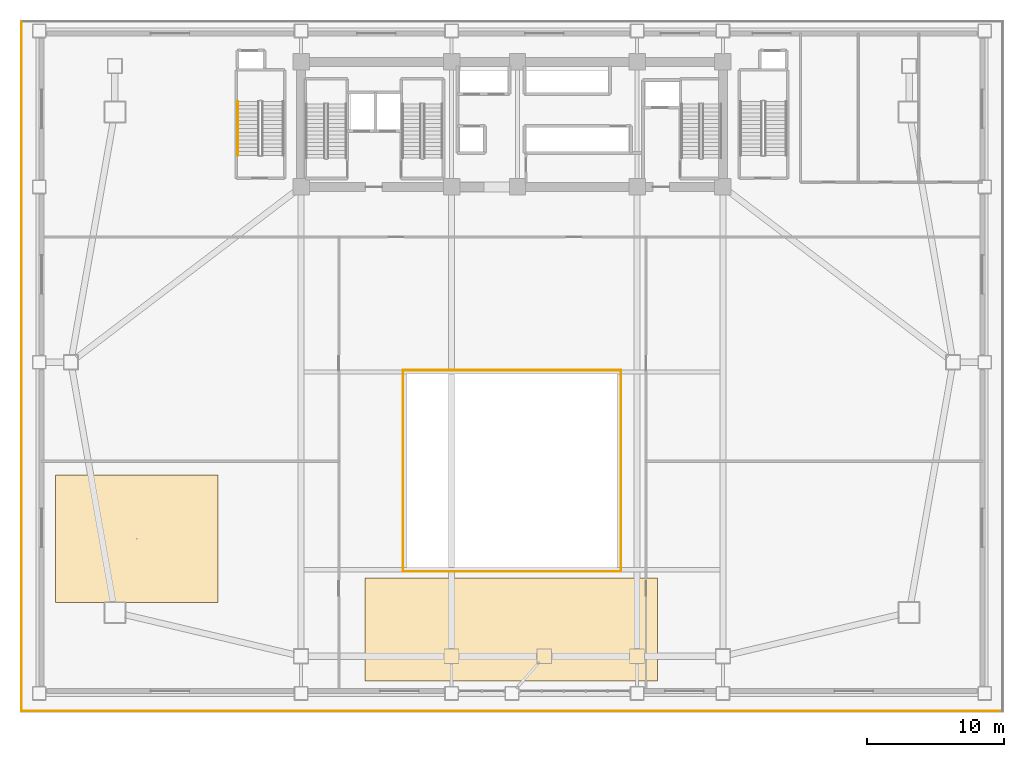
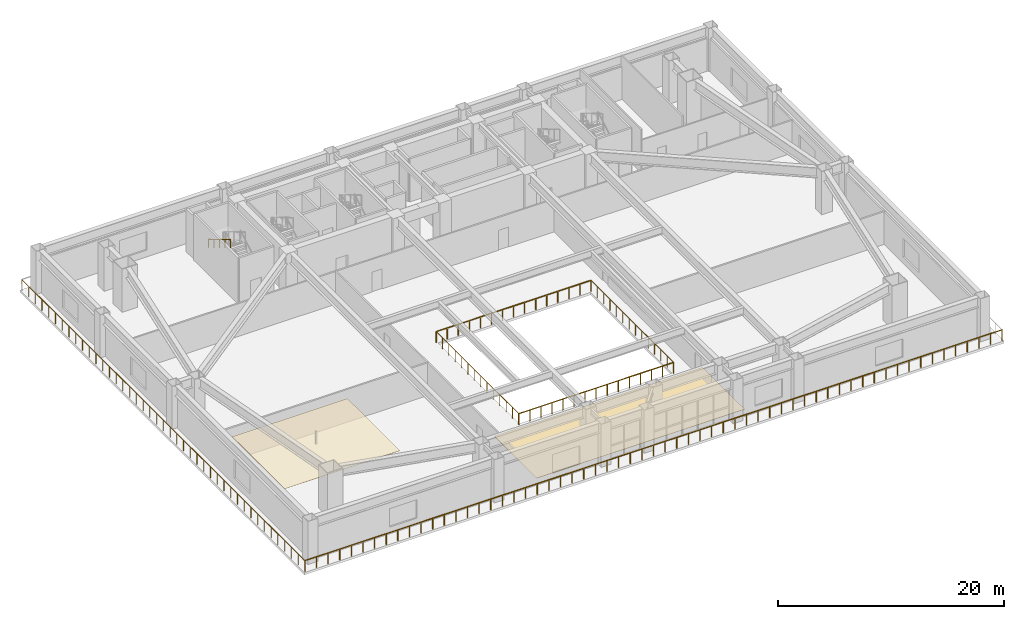
# One storey, part 11 of 14: 7 railings, 2 coverings.
"""IFC4 building model written with IfcOpenShell, lengths in metres."""

from ifc_helpers import new_model, si_unit, direction, frame, origin, origin_2d, place, context, subcontext, project, spatial, polyline, rectangle, outline, extrude, material, layer, layer_set, type_object, element, save


model = new_model("IFC4")

# Units and contexts
model_context = context("Model", 3, precision=1e-05, world=origin(), true_north=direction((0.0, 1.0)))
body_context = subcontext(model_context, "Body", "Model", "MODEL_VIEW")
ifc_project = project(units=[si_unit("LENGTHUNIT", "METRE"), si_unit("AREAUNIT", "SQUARE_METRE"), si_unit("VOLUMEUNIT", "CUBIC_METRE"), si_unit("PLANEANGLEUNIT", "RADIAN"), si_unit("MASSUNIT", "GRAM", prefix="KILO")], contexts=[model_context])

# Site, building, storey
site_placement = place(None, origin())
site = spatial("IfcSite", under=ifc_project, at=site_placement, CompositionType="ELEMENT")
building_placement = place(site_placement, origin())
building = spatial("IfcBuilding", under=site, at=building_placement, Name="Giltprow Tower", CompositionType="ELEMENT")
storey_placement = place(building_placement, frame((0.0, 0.0, 15.199951171875)))
storey = spatial("IfcBuildingStorey", under=building, at=storey_placement, Name="L04", CompositionType="ELEMENT", Elevation=15.199951171875)

# Coverings
ifc_material_1 = material(Name="Acoustic mineral fibre", Category="gypsum")
ifc_layer_1 = layer(ifc_material_1, 0.030029296875, Name="Acoustic mineral fibre")
ifc_layer_set_1 = layer_set([ifc_layer_1], Name="Acoustic mineral fibre")
covering_type_1 = type_object("IfcCoveringType", Name="COV-CLG-ACOUSTIC", PredefinedType="CEILING", material=ifc_layer_set_1)
covering_1_placement = place(storey_placement, frame((0.0, 0.0, 3.27001953125)))
element("IfcCovering", 1, at=covering_1_placement, inside=storey, type_object=covering_type_1, Name="L04 Acoustic Suspended Ceiling", PredefinedType="CEILING", context=body_context, shape_type="SweptSolid", body=[
    extrude(outline(polyline([(2.0, 7.199951171875), (13.800048828125, 7.199951171875), (13.800048828125, 16.5), (2.0, 16.5), (2.0, 7.199951171875)])), origin(), (0.0, 0.0, 1.0), 0.030029296875),
])
ifc_material_2 = material(Name="Honed granite", Category="masonry")
ifc_layer_2 = layer(ifc_material_2, 0.030029296875, Name="Honed granite")
ifc_layer_set_2 = layer_set([ifc_layer_2], Name="Honed granite")
covering_type_2 = type_object("IfcCoveringType", Name="COV-FLR-STONE", PredefinedType="FLOORING", material=ifc_layer_set_2)
covering_2_placement = place(storey_placement, origin())
element("IfcCovering", 2, at=covering_2_placement, inside=storey, type_object=covering_type_2, Name="L04 Honed Granite Concourse Flooring", PredefinedType="FLOORING", context=body_context, shape_type="SweptSolid", body=[
    extrude(outline(polyline([(24.5, 1.5), (45.800048828125, 1.5), (45.800048828125, 9.0), (24.5, 9.0), (24.5, 1.5)])), origin(), (0.0, 0.0, 1.0), 0.030029296875),
])

# Railings
ifc_material_3 = material(Name="Anodized bronze", Category="metal")
railing_type_1 = type_object("IfcRailingType", Name="RAIL-ATR-BAL-1220", PredefinedType="BALUSTRADE", material=ifc_material_3)
railing_1_placement = place(storey_placement, frame((27.280029296875, 9.47998046875, 0.0)))
element("IfcRailing", 3, at=railing_1_placement, inside=storey, type_object=railing_type_1, Name="L04 Podium Atrium Balustrade Seg 1", PredefinedType="BALUSTRADE", context=body_context, shape_type="SweptSolid", body=[
    extrude(rectangle(XDim=0.048095703125, YDim=0.048095703125, at=origin_2d()), frame((0.0, 0.0, 1.19580078125), z_axis=(1.0, 0.0, 0.0), x_axis=(0.0, 1.0, 0.0)), (0.0, 0.0, 1.0), 15.840087890625),
    extrude(rectangle(XDim=0.0419921875, YDim=0.0419921875, at=origin_2d()), origin(), (0.0, 0.0, 1.0), 1.171875),
    extrude(rectangle(XDim=0.0419921875, YDim=0.0419921875, at=origin_2d()), frame((1.13134765625, 0.0, 0.0)), (0.0, 0.0, 1.0), 1.171875),
    extrude(rectangle(XDim=0.0419921875, YDim=0.0419921875, at=origin_2d()), frame((2.262939453125, 0.0, 0.0)), (0.0, 0.0, 1.0), 1.171875),
    extrude(rectangle(XDim=0.0419921875, YDim=0.0419921875, at=origin_2d()), frame((3.394287109375, 0.0, 0.0)), (0.0, 0.0, 1.0), 1.171875),
    extrude(rectangle(XDim=0.0419921875, YDim=0.0419921875, at=origin_2d()), frame((4.525634765625, 0.0, 0.0)), (0.0, 0.0, 1.0), 1.171875),
    extrude(rectangle(XDim=0.0419921875, YDim=0.0419921875, at=origin_2d()), frame((5.6572265625, 0.0, 0.0)), (0.0, 0.0, 1.0), 1.171875),
    extrude(rectangle(XDim=0.0419921875, YDim=0.0419921875, at=origin_2d()), frame((6.78857421875, 0.0, 0.0)), (0.0, 0.0, 1.0), 1.171875),
    extrude(rectangle(XDim=0.0419921875, YDim=0.0419921875, at=origin_2d()), frame((7.919921875, 0.0, 0.0)), (0.0, 0.0, 1.0), 1.171875),
    extrude(rectangle(XDim=0.0419921875, YDim=0.0419921875, at=origin_2d()), frame((9.051513671875, 0.0, 0.0)), (0.0, 0.0, 1.0), 1.171875),
    extrude(rectangle(XDim=0.0419921875, YDim=0.0419921875, at=origin_2d()), frame((10.182861328125, 0.0, 0.0)), (0.0, 0.0, 1.0), 1.171875),
    extrude(rectangle(XDim=0.0419921875, YDim=0.0419921875, at=origin_2d()), frame((11.314453125, 0.0, 0.0)), (0.0, 0.0, 1.0), 1.171875),
    extrude(rectangle(XDim=0.0419921875, YDim=0.0419921875, at=origin_2d()), frame((12.44580078125, 0.0, 0.0)), (0.0, 0.0, 1.0), 1.171875),
    extrude(rectangle(XDim=0.0419921875, YDim=0.0419921875, at=origin_2d()), frame((13.5771484375, 0.0, 0.0)), (0.0, 0.0, 1.0), 1.171875),
    extrude(rectangle(XDim=0.0419921875, YDim=0.0419921875, at=origin_2d()), frame((14.708740234375, 0.0, 0.0)), (0.0, 0.0, 1.0), 1.171875),
    extrude(rectangle(XDim=0.0419921875, YDim=0.0419921875, at=origin_2d()), frame((15.840087890625, 0.0, 0.0)), (0.0, 0.0, 1.0), 1.171875),
])
railing_2_placement = place(storey_placement, frame((43.1201171875, 9.47998046875, 0.0)))
element("IfcRailing", 4, at=railing_2_placement, inside=storey, type_object=railing_type_1, Name="L04 Podium Atrium Balustrade Seg 2", PredefinedType="BALUSTRADE", context=body_context, shape_type="SweptSolid", body=[
    extrude(rectangle(XDim=0.048095703125, YDim=0.048095703125, at=origin_2d()), frame((0.0, 0.0, 1.19580078125), z_axis=(0.0, 1.0, 0.0), x_axis=(-1.0, 0.0, 0.0)), (0.0, 0.0, 1.0), 14.64013671875),
    extrude(rectangle(XDim=0.0419921875, YDim=0.0419921875, at=origin_2d()), origin(), (0.0, 0.0, 1.0), 1.171875),
    extrude(rectangle(XDim=0.0419921875, YDim=0.0419921875, at=origin_2d()), frame((0.0, 1.126220703125, 0.0)), (0.0, 0.0, 1.0), 1.171875),
    extrude(rectangle(XDim=0.0419921875, YDim=0.0419921875, at=origin_2d()), frame((0.0, 2.25244140625, 0.0)), (0.0, 0.0, 1.0), 1.171875),
    extrude(rectangle(XDim=0.0419921875, YDim=0.0419921875, at=origin_2d()), frame((0.0, 3.37841796875, 0.0)), (0.0, 0.0, 1.0), 1.171875),
    extrude(rectangle(XDim=0.0419921875, YDim=0.0419921875, at=origin_2d()), frame((0.0, 4.504638671875, 0.0)), (0.0, 0.0, 1.0), 1.171875),
    extrude(rectangle(XDim=0.0419921875, YDim=0.0419921875, at=origin_2d()), frame((0.0, 5.630859375, 0.0)), (0.0, 0.0, 1.0), 1.171875),
    extrude(rectangle(XDim=0.0419921875, YDim=0.0419921875, at=origin_2d()), frame((0.0, 6.757080078125, 0.0)), (0.0, 0.0, 1.0), 1.171875),
    extrude(rectangle(XDim=0.0419921875, YDim=0.0419921875, at=origin_2d()), frame((0.0, 7.883056640625, 0.0)), (0.0, 0.0, 1.0), 1.171875),
    extrude(rectangle(XDim=0.0419921875, YDim=0.0419921875, at=origin_2d()), frame((0.0, 9.00927734375, 0.0)), (0.0, 0.0, 1.0), 1.171875),
    extrude(rectangle(XDim=0.0419921875, YDim=0.0419921875, at=origin_2d()), frame((0.0, 10.135498046875, 0.0)), (0.0, 0.0, 1.0), 1.171875),
    extrude(rectangle(XDim=0.0419921875, YDim=0.0419921875, at=origin_2d()), frame((0.0, 11.26171875, 0.0)), (0.0, 0.0, 1.0), 1.171875),
    extrude(rectangle(XDim=0.0419921875, YDim=0.0419921875, at=origin_2d()), frame((0.0, 12.3876953125, 0.0)), (0.0, 0.0, 1.0), 1.171875),
    extrude(rectangle(XDim=0.0419921875, YDim=0.0419921875, at=origin_2d()), frame((0.0, 13.513916015625, 0.0)), (0.0, 0.0, 1.0), 1.171875),
    extrude(rectangle(XDim=0.0419921875, YDim=0.0419921875, at=origin_2d()), frame((0.0, 14.64013671875, 0.0)), (0.0, 0.0, 1.0), 1.171875),
])
railing_3_placement = place(storey_placement, frame((43.1201171875, 24.1201171875, 0.0)))
element("IfcRailing", 5, at=railing_3_placement, inside=storey, type_object=railing_type_1, Name="L04 Podium Atrium Balustrade Seg 3", PredefinedType="BALUSTRADE", context=body_context, shape_type="SweptSolid", body=[
    extrude(rectangle(XDim=0.048095703125, YDim=0.048095703125, at=origin_2d()), frame((0.0, 0.0, 1.19580078125), z_axis=(-1.0, 0.0, 0.0), x_axis=(0.0, -1.0, 0.0)), (0.0, 0.0, 1.0), 15.840087890625),
    extrude(rectangle(XDim=0.0419921875, YDim=0.0419921875, at=origin_2d()), origin(), (0.0, 0.0, 1.0), 1.171875),
    extrude(rectangle(XDim=0.0419921875, YDim=0.0419921875, at=origin_2d()), frame((-1.13134765625, 0.0, 0.0)), (0.0, 0.0, 1.0), 1.171875),
    extrude(rectangle(XDim=0.0419921875, YDim=0.0419921875, at=origin_2d()), frame((-2.262939453125, 0.0, 0.0)), (0.0, 0.0, 1.0), 1.171875),
    extrude(rectangle(XDim=0.0419921875, YDim=0.0419921875, at=origin_2d()), frame((-3.394287109375, 0.0, 0.0)), (0.0, 0.0, 1.0), 1.171875),
    extrude(rectangle(XDim=0.0419921875, YDim=0.0419921875, at=origin_2d()), frame((-4.525634765625, 0.0, 0.0)), (0.0, 0.0, 1.0), 1.171875),
    extrude(rectangle(XDim=0.0419921875, YDim=0.0419921875, at=origin_2d()), frame((-5.6572265625, 0.0, 0.0)), (0.0, 0.0, 1.0), 1.171875),
    extrude(rectangle(XDim=0.0419921875, YDim=0.0419921875, at=origin_2d()), frame((-6.78857421875, 0.0, 0.0)), (0.0, 0.0, 1.0), 1.171875),
    extrude(rectangle(XDim=0.0419921875, YDim=0.0419921875, at=origin_2d()), frame((-7.919921875, 0.0, 0.0)), (0.0, 0.0, 1.0), 1.171875),
    extrude(rectangle(XDim=0.0419921875, YDim=0.0419921875, at=origin_2d()), frame((-9.051513671875, 0.0, 0.0)), (0.0, 0.0, 1.0), 1.171875),
    extrude(rectangle(XDim=0.0419921875, YDim=0.0419921875, at=origin_2d()), frame((-10.182861328125, 0.0, 0.0)), (0.0, 0.0, 1.0), 1.171875),
    extrude(rectangle(XDim=0.0419921875, YDim=0.0419921875, at=origin_2d()), frame((-11.314453125, 0.0, 0.0)), (0.0, 0.0, 1.0), 1.171875),
    extrude(rectangle(XDim=0.0419921875, YDim=0.0419921875, at=origin_2d()), frame((-12.44580078125, 0.0, 0.0)), (0.0, 0.0, 1.0), 1.171875),
    extrude(rectangle(XDim=0.0419921875, YDim=0.0419921875, at=origin_2d()), frame((-13.5771484375, 0.0, 0.0)), (0.0, 0.0, 1.0), 1.171875),
    extrude(rectangle(XDim=0.0419921875, YDim=0.0419921875, at=origin_2d()), frame((-14.708740234375, 0.0, 0.0)), (0.0, 0.0, 1.0), 1.171875),
    extrude(rectangle(XDim=0.0419921875, YDim=0.0419921875, at=origin_2d()), frame((-15.840087890625, 0.0, 0.0)), (0.0, 0.0, 1.0), 1.171875),
])
railing_4_placement = place(storey_placement, frame((27.280029296875, 24.1201171875, 0.0)))
element("IfcRailing", 6, at=railing_4_placement, inside=storey, type_object=railing_type_1, Name="L04 Podium Atrium Balustrade Seg 4", PredefinedType="BALUSTRADE", context=body_context, shape_type="SweptSolid", body=[
    extrude(rectangle(XDim=0.048095703125, YDim=0.048095703125, at=origin_2d()), frame((0.0, 0.0, 1.19580078125), z_axis=(0.0, -1.0, 0.0), x_axis=(1.0, 0.0, 0.0)), (0.0, 0.0, 1.0), 14.64013671875),
    extrude(rectangle(XDim=0.0419921875, YDim=0.0419921875, at=origin_2d()), origin(), (0.0, 0.0, 1.0), 1.171875),
    extrude(rectangle(XDim=0.0419921875, YDim=0.0419921875, at=origin_2d()), frame((0.0, -1.126220703125, 0.0)), (0.0, 0.0, 1.0), 1.171875),
    extrude(rectangle(XDim=0.0419921875, YDim=0.0419921875, at=origin_2d()), frame((0.0, -2.25244140625, 0.0)), (0.0, 0.0, 1.0), 1.171875),
    extrude(rectangle(XDim=0.0419921875, YDim=0.0419921875, at=origin_2d()), frame((0.0, -3.37841796875, 0.0)), (0.0, 0.0, 1.0), 1.171875),
    extrude(rectangle(XDim=0.0419921875, YDim=0.0419921875, at=origin_2d()), frame((0.0, -4.504638671875, 0.0)), (0.0, 0.0, 1.0), 1.171875),
    extrude(rectangle(XDim=0.0419921875, YDim=0.0419921875, at=origin_2d()), frame((0.0, -5.630859375, 0.0)), (0.0, 0.0, 1.0), 1.171875),
    extrude(rectangle(XDim=0.0419921875, YDim=0.0419921875, at=origin_2d()), frame((0.0, -6.757080078125, 0.0)), (0.0, 0.0, 1.0), 1.171875),
    extrude(rectangle(XDim=0.0419921875, YDim=0.0419921875, at=origin_2d()), frame((0.0, -7.883056640625, 0.0)), (0.0, 0.0, 1.0), 1.171875),
    extrude(rectangle(XDim=0.0419921875, YDim=0.0419921875, at=origin_2d()), frame((0.0, -9.00927734375, 0.0)), (0.0, 0.0, 1.0), 1.171875),
    extrude(rectangle(XDim=0.0419921875, YDim=0.0419921875, at=origin_2d()), frame((0.0, -10.135498046875, 0.0)), (0.0, 0.0, 1.0), 1.171875),
    extrude(rectangle(XDim=0.0419921875, YDim=0.0419921875, at=origin_2d()), frame((0.0, -11.26171875, 0.0)), (0.0, 0.0, 1.0), 1.171875),
    extrude(rectangle(XDim=0.0419921875, YDim=0.0419921875, at=origin_2d()), frame((0.0, -12.3876953125, 0.0)), (0.0, 0.0, 1.0), 1.171875),
    extrude(rectangle(XDim=0.0419921875, YDim=0.0419921875, at=origin_2d()), frame((0.0, -13.513916015625, 0.0)), (0.0, 0.0, 1.0), 1.171875),
    extrude(rectangle(XDim=0.0419921875, YDim=0.0419921875, at=origin_2d()), frame((0.0, -14.64013671875, 0.0)), (0.0, 0.0, 1.0), 1.171875),
])
railing_type_2 = type_object("IfcRailingType", Name="RAIL-BALC-GUARD-1200", PredefinedType="BALUSTRADE", material=ifc_material_3)
railing_5_placement = place(storey_placement, frame((-0.47998046875, -0.679931640625, 0.0)))
element("IfcRailing", 7, at=railing_5_placement, inside=storey, type_object=railing_type_2, Name="L04 Podium Perimeter Cornice Balustrade Seg 1", PredefinedType="BALUSTRADE", context=body_context, shape_type="SweptSolid", body=[
    extrude(rectangle(XDim=0.048095703125, YDim=0.048095703125, at=origin_2d()), frame((0.0, 0.0, 1.17578125), z_axis=(1.0, 0.0, 0.0), x_axis=(0.0, 1.0, 0.0)), (0.0, 0.0, 1.0), 71.35986328125),
    extrude(rectangle(XDim=0.0419921875, YDim=0.0419921875, at=origin_2d()), origin(), (0.0, 0.0, 1.0), 1.15185546875),
    extrude(rectangle(XDim=0.0419921875, YDim=0.0419921875, at=origin_2d()), frame((1.189453125, 0.0, 0.0)), (0.0, 0.0, 1.0), 1.15185546875),
    extrude(rectangle(XDim=0.0419921875, YDim=0.0419921875, at=origin_2d()), frame((2.378662109375, 0.0, 0.0)), (0.0, 0.0, 1.0), 1.15185546875),
    extrude(rectangle(XDim=0.0419921875, YDim=0.0419921875, at=origin_2d()), frame((3.56787109375, 0.0, 0.0)), (0.0, 0.0, 1.0), 1.15185546875),
    extrude(rectangle(XDim=0.0419921875, YDim=0.0419921875, at=origin_2d()), frame((4.75732421875, 0.0, 0.0)), (0.0, 0.0, 1.0), 1.15185546875),
    extrude(rectangle(XDim=0.0419921875, YDim=0.0419921875, at=origin_2d()), frame((5.94677734375, 0.0, 0.0)), (0.0, 0.0, 1.0), 1.15185546875),
    extrude(rectangle(XDim=0.0419921875, YDim=0.0419921875, at=origin_2d()), frame((7.135986328125, 0.0, 0.0)), (0.0, 0.0, 1.0), 1.15185546875),
    extrude(rectangle(XDim=0.0419921875, YDim=0.0419921875, at=origin_2d()), frame((8.3251953125, 0.0, 0.0)), (0.0, 0.0, 1.0), 1.15185546875),
    extrude(rectangle(XDim=0.0419921875, YDim=0.0419921875, at=origin_2d()), frame((9.5146484375, 0.0, 0.0)), (0.0, 0.0, 1.0), 1.15185546875),
    extrude(rectangle(XDim=0.0419921875, YDim=0.0419921875, at=origin_2d()), frame((10.7041015625, 0.0, 0.0)), (0.0, 0.0, 1.0), 1.15185546875),
    extrude(rectangle(XDim=0.0419921875, YDim=0.0419921875, at=origin_2d()), frame((11.893310546875, 0.0, 0.0)), (0.0, 0.0, 1.0), 1.15185546875),
    extrude(rectangle(XDim=0.0419921875, YDim=0.0419921875, at=origin_2d()), frame((13.08251953125, 0.0, 0.0)), (0.0, 0.0, 1.0), 1.15185546875),
    extrude(rectangle(XDim=0.0419921875, YDim=0.0419921875, at=origin_2d()), frame((14.27197265625, 0.0, 0.0)), (0.0, 0.0, 1.0), 1.15185546875),
    extrude(rectangle(XDim=0.0419921875, YDim=0.0419921875, at=origin_2d()), frame((15.46142578125, 0.0, 0.0)), (0.0, 0.0, 1.0), 1.15185546875),
    extrude(rectangle(XDim=0.0419921875, YDim=0.0419921875, at=origin_2d()), frame((16.650634765625, 0.0, 0.0)), (0.0, 0.0, 1.0), 1.15185546875),
    extrude(rectangle(XDim=0.0419921875, YDim=0.0419921875, at=origin_2d()), frame((17.83984375, 0.0, 0.0)), (0.0, 0.0, 1.0), 1.15185546875),
    extrude(rectangle(XDim=0.0419921875, YDim=0.0419921875, at=origin_2d()), frame((19.029296875, 0.0, 0.0)), (0.0, 0.0, 1.0), 1.15185546875),
    extrude(rectangle(XDim=0.0419921875, YDim=0.0419921875, at=origin_2d()), frame((20.21875, 0.0, 0.0)), (0.0, 0.0, 1.0), 1.15185546875),
    extrude(rectangle(XDim=0.0419921875, YDim=0.0419921875, at=origin_2d()), frame((21.407958984375, 0.0, 0.0)), (0.0, 0.0, 1.0), 1.15185546875),
    extrude(rectangle(XDim=0.0419921875, YDim=0.0419921875, at=origin_2d()), frame((22.59716796875, 0.0, 0.0)), (0.0, 0.0, 1.0), 1.15185546875),
    extrude(rectangle(XDim=0.0419921875, YDim=0.0419921875, at=origin_2d()), frame((23.78662109375, 0.0, 0.0)), (0.0, 0.0, 1.0), 1.15185546875),
    extrude(rectangle(XDim=0.0419921875, YDim=0.0419921875, at=origin_2d()), frame((24.97607421875, 0.0, 0.0)), (0.0, 0.0, 1.0), 1.15185546875),
    extrude(rectangle(XDim=0.0419921875, YDim=0.0419921875, at=origin_2d()), frame((26.165283203125, 0.0, 0.0)), (0.0, 0.0, 1.0), 1.15185546875),
    extrude(rectangle(XDim=0.0419921875, YDim=0.0419921875, at=origin_2d()), frame((27.354736328125, 0.0, 0.0)), (0.0, 0.0, 1.0), 1.15185546875),
    extrude(rectangle(XDim=0.0419921875, YDim=0.0419921875, at=origin_2d()), frame((28.5439453125, 0.0, 0.0)), (0.0, 0.0, 1.0), 1.15185546875),
    extrude(rectangle(XDim=0.0419921875, YDim=0.0419921875, at=origin_2d()), frame((29.7333984375, 0.0, 0.0)), (0.0, 0.0, 1.0), 1.15185546875),
    extrude(rectangle(XDim=0.0419921875, YDim=0.0419921875, at=origin_2d()), frame((30.922607421875, 0.0, 0.0)), (0.0, 0.0, 1.0), 1.15185546875),
    extrude(rectangle(XDim=0.0419921875, YDim=0.0419921875, at=origin_2d()), frame((32.11181640625, 0.0, 0.0)), (0.0, 0.0, 1.0), 1.15185546875),
    extrude(rectangle(XDim=0.0419921875, YDim=0.0419921875, at=origin_2d()), frame((33.30126953125, 0.0, 0.0)), (0.0, 0.0, 1.0), 1.15185546875),
    extrude(rectangle(XDim=0.0419921875, YDim=0.0419921875, at=origin_2d()), frame((34.49072265625, 0.0, 0.0)), (0.0, 0.0, 1.0), 1.15185546875),
    extrude(rectangle(XDim=0.0419921875, YDim=0.0419921875, at=origin_2d()), frame((35.679931640625, 0.0, 0.0)), (0.0, 0.0, 1.0), 1.15185546875),
    extrude(rectangle(XDim=0.0419921875, YDim=0.0419921875, at=origin_2d()), frame((36.869384765625, 0.0, 0.0)), (0.0, 0.0, 1.0), 1.15185546875),
    extrude(rectangle(XDim=0.0419921875, YDim=0.0419921875, at=origin_2d()), frame((38.05859375, 0.0, 0.0)), (0.0, 0.0, 1.0), 1.15185546875),
    extrude(rectangle(XDim=0.0419921875, YDim=0.0419921875, at=origin_2d()), frame((39.248046875, 0.0, 0.0)), (0.0, 0.0, 1.0), 1.15185546875),
    extrude(rectangle(XDim=0.0419921875, YDim=0.0419921875, at=origin_2d()), frame((40.437255859375, 0.0, 0.0)), (0.0, 0.0, 1.0), 1.15185546875),
    extrude(rectangle(XDim=0.0419921875, YDim=0.0419921875, at=origin_2d()), frame((41.62646484375, 0.0, 0.0)), (0.0, 0.0, 1.0), 1.15185546875),
    extrude(rectangle(XDim=0.0419921875, YDim=0.0419921875, at=origin_2d()), frame((42.81591796875, 0.0, 0.0)), (0.0, 0.0, 1.0), 1.15185546875),
    extrude(rectangle(XDim=0.0419921875, YDim=0.0419921875, at=origin_2d()), frame((44.00537109375, 0.0, 0.0)), (0.0, 0.0, 1.0), 1.15185546875),
    extrude(rectangle(XDim=0.0419921875, YDim=0.0419921875, at=origin_2d()), frame((45.194580078125, 0.0, 0.0)), (0.0, 0.0, 1.0), 1.15185546875),
    extrude(rectangle(XDim=0.0419921875, YDim=0.0419921875, at=origin_2d()), frame((46.3837890625, 0.0, 0.0)), (0.0, 0.0, 1.0), 1.15185546875),
    extrude(rectangle(XDim=0.0419921875, YDim=0.0419921875, at=origin_2d()), frame((47.5732421875, 0.0, 0.0)), (0.0, 0.0, 1.0), 1.15185546875),
    extrude(rectangle(XDim=0.0419921875, YDim=0.0419921875, at=origin_2d()), frame((48.7626953125, 0.0, 0.0)), (0.0, 0.0, 1.0), 1.15185546875),
    extrude(rectangle(XDim=0.0419921875, YDim=0.0419921875, at=origin_2d()), frame((49.951904296875, 0.0, 0.0)), (0.0, 0.0, 1.0), 1.15185546875),
    extrude(rectangle(XDim=0.0419921875, YDim=0.0419921875, at=origin_2d()), frame((51.14111328125, 0.0, 0.0)), (0.0, 0.0, 1.0), 1.15185546875),
    extrude(rectangle(XDim=0.0419921875, YDim=0.0419921875, at=origin_2d()), frame((52.33056640625, 0.0, 0.0)), (0.0, 0.0, 1.0), 1.15185546875),
    extrude(rectangle(XDim=0.0419921875, YDim=0.0419921875, at=origin_2d()), frame((53.52001953125, 0.0, 0.0)), (0.0, 0.0, 1.0), 1.15185546875),
    extrude(rectangle(XDim=0.0419921875, YDim=0.0419921875, at=origin_2d()), frame((54.709228515625, 0.0, 0.0)), (0.0, 0.0, 1.0), 1.15185546875),
    extrude(rectangle(XDim=0.0419921875, YDim=0.0419921875, at=origin_2d()), frame((55.8984375, 0.0, 0.0)), (0.0, 0.0, 1.0), 1.15185546875),
    extrude(rectangle(XDim=0.0419921875, YDim=0.0419921875, at=origin_2d()), frame((57.087890625, 0.0, 0.0)), (0.0, 0.0, 1.0), 1.15185546875),
    extrude(rectangle(XDim=0.0419921875, YDim=0.0419921875, at=origin_2d()), frame((58.27734375, 0.0, 0.0)), (0.0, 0.0, 1.0), 1.15185546875),
    extrude(rectangle(XDim=0.0419921875, YDim=0.0419921875, at=origin_2d()), frame((59.466552734375, 0.0, 0.0)), (0.0, 0.0, 1.0), 1.15185546875),
    extrude(rectangle(XDim=0.0419921875, YDim=0.0419921875, at=origin_2d()), frame((60.65576171875, 0.0, 0.0)), (0.0, 0.0, 1.0), 1.15185546875),
    extrude(rectangle(XDim=0.0419921875, YDim=0.0419921875, at=origin_2d()), frame((61.84521484375, 0.0, 0.0)), (0.0, 0.0, 1.0), 1.15185546875),
    extrude(rectangle(XDim=0.0419921875, YDim=0.0419921875, at=origin_2d()), frame((63.03466796875, 0.0, 0.0)), (0.0, 0.0, 1.0), 1.15185546875),
    extrude(rectangle(XDim=0.0419921875, YDim=0.0419921875, at=origin_2d()), frame((64.223876953125, 0.0, 0.0)), (0.0, 0.0, 1.0), 1.15185546875),
    extrude(rectangle(XDim=0.0419921875, YDim=0.0419921875, at=origin_2d()), frame((65.4130859375, 0.0, 0.0)), (0.0, 0.0, 1.0), 1.15185546875),
    extrude(rectangle(XDim=0.0419921875, YDim=0.0419921875, at=origin_2d()), frame((66.6025390625, 0.0, 0.0)), (0.0, 0.0, 1.0), 1.15185546875),
    extrude(rectangle(XDim=0.0419921875, YDim=0.0419921875, at=origin_2d()), frame((67.7919921875, 0.0, 0.0)), (0.0, 0.0, 1.0), 1.15185546875),
    extrude(rectangle(XDim=0.0419921875, YDim=0.0419921875, at=origin_2d()), frame((68.981201171875, 0.0, 0.0)), (0.0, 0.0, 1.0), 1.15185546875),
    extrude(rectangle(XDim=0.0419921875, YDim=0.0419921875, at=origin_2d()), frame((70.17041015625, 0.0, 0.0)), (0.0, 0.0, 1.0), 1.15185546875),
    extrude(rectangle(XDim=0.0419921875, YDim=0.0419921875, at=origin_2d()), frame((71.35986328125, 0.0, 0.0)), (0.0, 0.0, 1.0), 1.15185546875),
])
railing_6_placement = place(storey_placement, frame((-0.47998046875, 49.47998046875, 0.0)))
element("IfcRailing", 8, at=railing_6_placement, inside=storey, type_object=railing_type_2, Name="L04 Podium Perimeter Cornice Balustrade Seg 4", PredefinedType="BALUSTRADE", context=body_context, shape_type="SweptSolid", body=[
    extrude(rectangle(XDim=0.048095703125, YDim=0.048095703125, at=origin_2d()), frame((0.0, 0.0, 1.17578125), z_axis=(0.0, -1.0, 0.0), x_axis=(1.0, 0.0, 0.0)), (0.0, 0.0, 1.0), 50.159912109375),
    extrude(rectangle(XDim=0.0419921875, YDim=0.0419921875, at=origin_2d()), origin(), (0.0, 0.0, 1.0), 1.15185546875),
    extrude(rectangle(XDim=0.0419921875, YDim=0.0419921875, at=origin_2d()), frame((0.0, -1.1943359375, 0.0)), (0.0, 0.0, 1.0), 1.15185546875),
    extrude(rectangle(XDim=0.0419921875, YDim=0.0419921875, at=origin_2d()), frame((0.0, -2.388671875, 0.0)), (0.0, 0.0, 1.0), 1.15185546875),
    extrude(rectangle(XDim=0.0419921875, YDim=0.0419921875, at=origin_2d()), frame((0.0, -3.582763671875, 0.0)), (0.0, 0.0, 1.0), 1.15185546875),
    extrude(rectangle(XDim=0.0419921875, YDim=0.0419921875, at=origin_2d()), frame((0.0, -4.777099609375, 0.0)), (0.0, 0.0, 1.0), 1.15185546875),
    extrude(rectangle(XDim=0.0419921875, YDim=0.0419921875, at=origin_2d()), frame((0.0, -5.971435546875, 0.0)), (0.0, 0.0, 1.0), 1.15185546875),
    extrude(rectangle(XDim=0.0419921875, YDim=0.0419921875, at=origin_2d()), frame((0.0, -7.165771484375, 0.0)), (0.0, 0.0, 1.0), 1.15185546875),
    extrude(rectangle(XDim=0.0419921875, YDim=0.0419921875, at=origin_2d()), frame((0.0, -8.35986328125, 0.0)), (0.0, 0.0, 1.0), 1.15185546875),
    extrude(rectangle(XDim=0.0419921875, YDim=0.0419921875, at=origin_2d()), frame((0.0, -9.55419921875, 0.0)), (0.0, 0.0, 1.0), 1.15185546875),
    extrude(rectangle(XDim=0.0419921875, YDim=0.0419921875, at=origin_2d()), frame((0.0, -10.74853515625, 0.0)), (0.0, 0.0, 1.0), 1.15185546875),
    extrude(rectangle(XDim=0.0419921875, YDim=0.0419921875, at=origin_2d()), frame((0.0, -11.94287109375, 0.0)), (0.0, 0.0, 1.0), 1.15185546875),
    extrude(rectangle(XDim=0.0419921875, YDim=0.0419921875, at=origin_2d()), frame((0.0, -13.13720703125, 0.0)), (0.0, 0.0, 1.0), 1.15185546875),
    extrude(rectangle(XDim=0.0419921875, YDim=0.0419921875, at=origin_2d()), frame((0.0, -14.331298828125, 0.0)), (0.0, 0.0, 1.0), 1.15185546875),
    extrude(rectangle(XDim=0.0419921875, YDim=0.0419921875, at=origin_2d()), frame((0.0, -15.525634765625, 0.0)), (0.0, 0.0, 1.0), 1.15185546875),
    extrude(rectangle(XDim=0.0419921875, YDim=0.0419921875, at=origin_2d()), frame((0.0, -16.719970703125, 0.0)), (0.0, 0.0, 1.0), 1.15185546875),
    extrude(rectangle(XDim=0.0419921875, YDim=0.0419921875, at=origin_2d()), frame((0.0, -17.914306640625, 0.0)), (0.0, 0.0, 1.0), 1.15185546875),
    extrude(rectangle(XDim=0.0419921875, YDim=0.0419921875, at=origin_2d()), frame((0.0, -19.108642578125, 0.0)), (0.0, 0.0, 1.0), 1.15185546875),
    extrude(rectangle(XDim=0.0419921875, YDim=0.0419921875, at=origin_2d()), frame((0.0, -20.302734375, 0.0)), (0.0, 0.0, 1.0), 1.15185546875),
    extrude(rectangle(XDim=0.0419921875, YDim=0.0419921875, at=origin_2d()), frame((0.0, -21.4970703125, 0.0)), (0.0, 0.0, 1.0), 1.15185546875),
    extrude(rectangle(XDim=0.0419921875, YDim=0.0419921875, at=origin_2d()), frame((0.0, -22.69140625, 0.0)), (0.0, 0.0, 1.0), 1.15185546875),
    extrude(rectangle(XDim=0.0419921875, YDim=0.0419921875, at=origin_2d()), frame((0.0, -23.8857421875, 0.0)), (0.0, 0.0, 1.0), 1.15185546875),
    extrude(rectangle(XDim=0.0419921875, YDim=0.0419921875, at=origin_2d()), frame((0.0, -25.080078125, 0.0)), (0.0, 0.0, 1.0), 1.15185546875),
    extrude(rectangle(XDim=0.0419921875, YDim=0.0419921875, at=origin_2d()), frame((0.0, -26.274169921875, 0.0)), (0.0, 0.0, 1.0), 1.15185546875),
    extrude(rectangle(XDim=0.0419921875, YDim=0.0419921875, at=origin_2d()), frame((0.0, -27.468505859375, 0.0)), (0.0, 0.0, 1.0), 1.15185546875),
    extrude(rectangle(XDim=0.0419921875, YDim=0.0419921875, at=origin_2d()), frame((0.0, -28.662841796875, 0.0)), (0.0, 0.0, 1.0), 1.15185546875),
    extrude(rectangle(XDim=0.0419921875, YDim=0.0419921875, at=origin_2d()), frame((0.0, -29.857177734375, 0.0)), (0.0, 0.0, 1.0), 1.15185546875),
    extrude(rectangle(XDim=0.0419921875, YDim=0.0419921875, at=origin_2d()), frame((0.0, -31.05126953125, 0.0)), (0.0, 0.0, 1.0), 1.15185546875),
    extrude(rectangle(XDim=0.0419921875, YDim=0.0419921875, at=origin_2d()), frame((0.0, -32.24560546875, 0.0)), (0.0, 0.0, 1.0), 1.15185546875),
    extrude(rectangle(XDim=0.0419921875, YDim=0.0419921875, at=origin_2d()), frame((0.0, -33.43994140625, 0.0)), (0.0, 0.0, 1.0), 1.15185546875),
    extrude(rectangle(XDim=0.0419921875, YDim=0.0419921875, at=origin_2d()), frame((0.0, -34.63427734375, 0.0)), (0.0, 0.0, 1.0), 1.15185546875),
    extrude(rectangle(XDim=0.0419921875, YDim=0.0419921875, at=origin_2d()), frame((0.0, -35.82861328125, 0.0)), (0.0, 0.0, 1.0), 1.15185546875),
    extrude(rectangle(XDim=0.0419921875, YDim=0.0419921875, at=origin_2d()), frame((0.0, -37.022705078125, 0.0)), (0.0, 0.0, 1.0), 1.15185546875),
    extrude(rectangle(XDim=0.0419921875, YDim=0.0419921875, at=origin_2d()), frame((0.0, -38.217041015625, 0.0)), (0.0, 0.0, 1.0), 1.15185546875),
    extrude(rectangle(XDim=0.0419921875, YDim=0.0419921875, at=origin_2d()), frame((0.0, -39.411376953125, 0.0)), (0.0, 0.0, 1.0), 1.15185546875),
    extrude(rectangle(XDim=0.0419921875, YDim=0.0419921875, at=origin_2d()), frame((0.0, -40.605712890625, 0.0)), (0.0, 0.0, 1.0), 1.15185546875),
    extrude(rectangle(XDim=0.0419921875, YDim=0.0419921875, at=origin_2d()), frame((0.0, -41.7998046875, 0.0)), (0.0, 0.0, 1.0), 1.15185546875),
    extrude(rectangle(XDim=0.0419921875, YDim=0.0419921875, at=origin_2d()), frame((0.0, -42.994140625, 0.0)), (0.0, 0.0, 1.0), 1.15185546875),
    extrude(rectangle(XDim=0.0419921875, YDim=0.0419921875, at=origin_2d()), frame((0.0, -44.1884765625, 0.0)), (0.0, 0.0, 1.0), 1.15185546875),
    extrude(rectangle(XDim=0.0419921875, YDim=0.0419921875, at=origin_2d()), frame((0.0, -45.3828125, 0.0)), (0.0, 0.0, 1.0), 1.15185546875),
    extrude(rectangle(XDim=0.0419921875, YDim=0.0419921875, at=origin_2d()), frame((0.0, -46.5771484375, 0.0)), (0.0, 0.0, 1.0), 1.15185546875),
    extrude(rectangle(XDim=0.0419921875, YDim=0.0419921875, at=origin_2d()), frame((0.0, -47.771240234375, 0.0)), (0.0, 0.0, 1.0), 1.15185546875),
    extrude(rectangle(XDim=0.0419921875, YDim=0.0419921875, at=origin_2d()), frame((0.0, -48.965576171875, 0.0)), (0.0, 0.0, 1.0), 1.15185546875),
    extrude(rectangle(XDim=0.0419921875, YDim=0.0419921875, at=origin_2d()), frame((0.0, -50.159912109375, 0.0)), (0.0, 0.0, 1.0), 1.15185546875),
])
railing_type_3 = type_object("IfcRailingType", Name="RAIL-STAIR-HAND-900", PredefinedType="HANDRAIL", material=ifc_material_3)
railing_7_placement = place(storey_placement, frame((15.25, 43.669921875, 2.666748046875)))
element("IfcRailing", 9, at=railing_7_placement, inside=storey, type_object=railing_type_3, Name="L04 ST-P1 stair handrail 2", PredefinedType="HANDRAIL", context=body_context, shape_type="SweptSolid", body=[
    extrude(rectangle(XDim=0.048095703125, YDim=0.048095703125, at=origin_2d()), frame((0.0, 0.0, 0.8759765625), z_axis=(0.0, -0.859296244711, 0.511478214419), x_axis=(1.0, 0.0, 0.0)), (0.0, 0.0, 1.0), 4.561767578125),
    extrude(rectangle(XDim=0.0419921875, YDim=0.0419921875, at=origin_2d()), origin(), (0.0, 0.0, 1.0), 0.851806640625),
    extrude(rectangle(XDim=0.0419921875, YDim=0.0419921875, at=origin_2d()), frame((0.0, -0.97998046875, 0.583251953125)), (0.0, 0.0, 1.0), 0.851806640625),
    extrude(rectangle(XDim=0.0419921875, YDim=0.0419921875, at=origin_2d()), frame((0.0, -1.9599609375, 1.16650390625)), (0.0, 0.0, 1.0), 0.851806640625),
    extrude(rectangle(XDim=0.0419921875, YDim=0.0419921875, at=origin_2d()), frame((0.0, -2.93994140625, 1.75)), (0.0, 0.0, 1.0), 0.851806640625),
    extrude(rectangle(XDim=0.0419921875, YDim=0.0419921875, at=origin_2d()), frame((0.0, -3.919921875, 2.333251953125)), (0.0, 0.0, 1.0), 0.851806640625),
])

save(model, "model.ifc")
